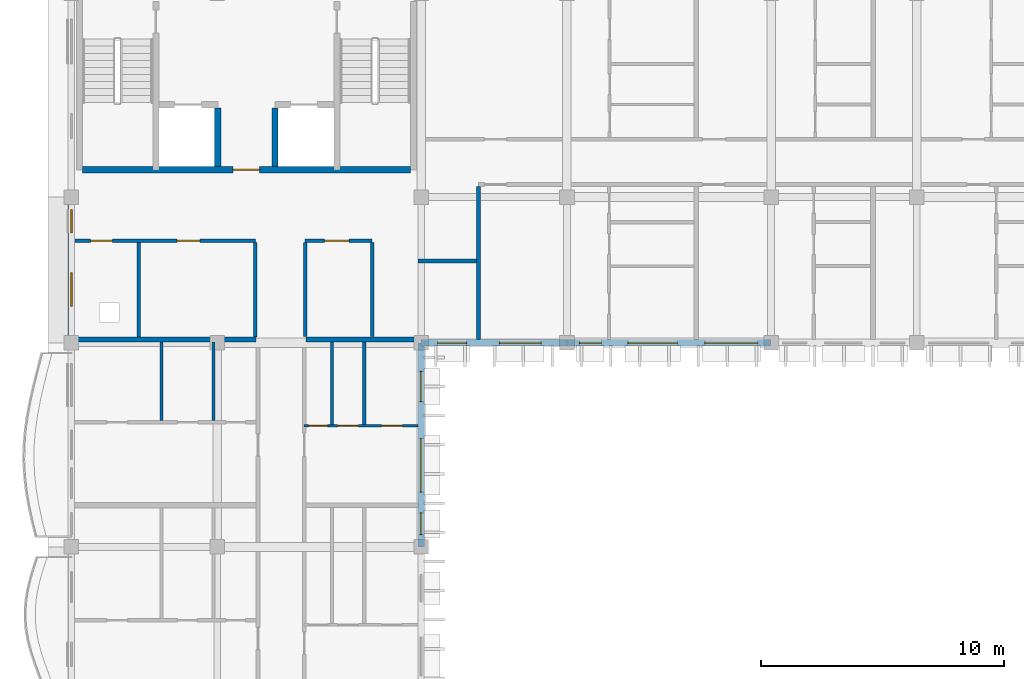
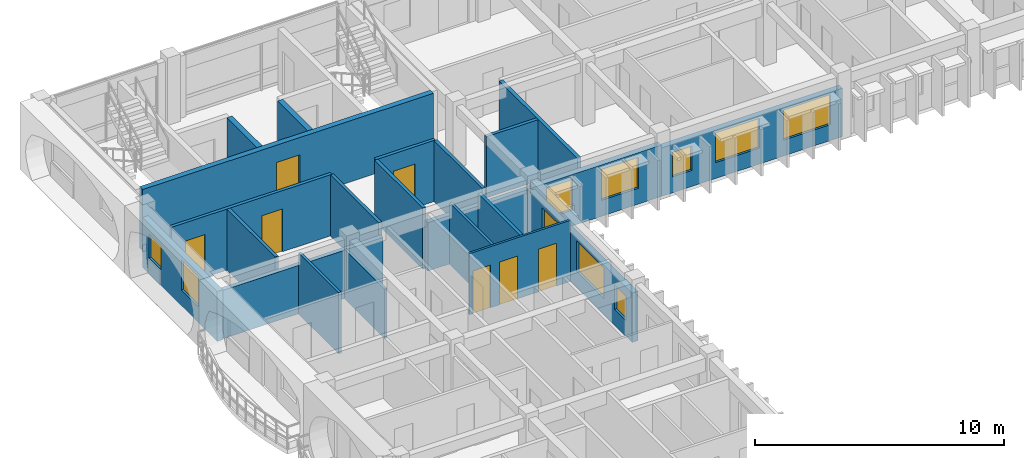
# One storey, part 17 of 45: 22 walls, 10 windows, 7 doors, 17 openings.
"""IFC4 building model written with IfcOpenShell, lengths in metres."""

from ifc_helpers import new_model, si_unit, direction, frame, frame_2d, origin, place, context, subcontext, project, spatial, rectangle, extrude, material, layer, layer_set, type_object, element, fill, save


model = new_model("IFC4")

# Units and contexts
model_context = context("Model", 3, precision=1e-05, world=origin(), true_north=direction((0.0, 1.0)))
body_context = subcontext(model_context, "Body", "Model", "MODEL_VIEW")
ifc_project = project(units=[si_unit("LENGTHUNIT", "METRE"), si_unit("AREAUNIT", "SQUARE_METRE"), si_unit("VOLUMEUNIT", "CUBIC_METRE"), si_unit("PLANEANGLEUNIT", "RADIAN"), si_unit("MASSUNIT", "GRAM", prefix="KILO"), si_unit("THERMODYNAMICTEMPERATUREUNIT", "KELVIN")], contexts=[model_context])

# Site, building, storey
site_placement = place(None, origin())
site = spatial("IfcSite", under=ifc_project, at=site_placement, CompositionType="ELEMENT")
building_placement = place(site_placement, origin())
building = spatial("IfcBuilding", under=site, at=building_placement, Name="Thalorik Housing Commons", CompositionType="ELEMENT")
storey_placement = place(building_placement, frame((0.0, 0.0, 34.5)))
storey = spatial("IfcBuildingStorey", under=building, at=storey_placement, Name="L10", CompositionType="ELEMENT", Elevation=34.5)

# Walls
ifc_material_1 = material(Name="Concrete C40/50", Category="concrete")
ifc_layer_1 = layer(ifc_material_1, 0.25, Name="Concrete C40/50", Category="concrete")
ifc_layer_set_1 = layer_set([ifc_layer_1], Name="Concrete C40/50")
wall_type_1 = type_object("IfcWallType", Name="ARC-WAL-CORE-250", PredefinedType="SHEAR", material=ifc_layer_set_1)
for number, where, z_axis, x_axis, name in (
    (1, (14.425048828125, 118.875, 0.0), (0.0, 0.0, 1.0), (0.0, -1.0, 0.0), "L10 Lift 1 Cheek Wall"),
    (2, (16.77490234375, 118.875, 0.0), (0.0, 0.0, 1.0), (0.0, -1.0, 0.0), "L10 Lift 2 Cheek Wall"),
):
    element("IfcWall", number, at=place(storey_placement, frame(where, z_axis=z_axis, x_axis=x_axis)), inside=storey, type_object=wall_type_1, Name=name, PredefinedType="SHEAR", context=body_context, shape_type="SweptSolid", body=[
        extrude(rectangle(XDim=2.425048828125, YDim=0.25, at=frame_2d((1.21240234375, 0.0))), origin(), (0.0, 0.0, 1.0), 3.0),
    ])

# Wall, opening, door
wall_1_placement = place(storey_placement, frame((8.85009765625, 116.324951171875, 0.0), z_axis=(0.0, 0.0, 1.0), x_axis=(1.0, 0.0, 0.0)))
wall_1 = element("IfcWall", 3, at=wall_1_placement, inside=storey, type_object=wall_type_1, Name="L10 Core A Spine Shear Wall", PredefinedType="SHEAR", context=body_context, shape_type="SweptSolid", body=[
    extrude(rectangle(XDim=13.5, YDim=0.25, at=frame_2d((6.75, 0.0))), origin(), (0.0, 0.0, 1.0), 3.0),
])
opening_1_placement = place(wall_1_placement, frame((6.199951171875, 0.0, 0.0)))
opening_1 = element("IfcOpeningElement", 4, at=opening_1_placement, cuts=wall_1, Name="Opening ID-0093", PredefinedType="OPENING", context=body_context, shape_type="SweptSolid", body=[
    extrude(rectangle(XDim=1.10009765625, YDim=2.14990234375, at=frame_2d((0.550048828125, 1.074951171875))), frame((0.0, 0.135009765625, 0.0), z_axis=(0.0, -1.0, 0.0), x_axis=(1.0, 0.0, 0.0)), (0.0, 0.0, 1.0), 0.27001953125),
])
ifc_material_2 = material(Name="Steel S355", Category="steel")
door_type_1 = type_object("IfcDoorType", Name="ARC-DR-FD60-1100", OperationType="NOTDEFINED", PredefinedType="DOOR", material=ifc_material_2)
door_1_placement = place(opening_1_placement, origin())
door_1 = element("IfcDoor", 5, at=door_1_placement, inside=storey, type_object=door_type_1, Name="L10 Core A Lobby Fire Door", OperationType="SINGLE_SWING_RIGHT", OverallHeight=2.14990234375, OverallWidth=1.10009765625, PredefinedType="DOOR", context=body_context, shape_type="SweptSolid", body=[
    extrude(rectangle(XDim=1.10009765625, YDim=2.14990234375, at=frame_2d((0.550048828125, 1.074951171875))), frame((0.0, 0.02490234375, 0.0), z_axis=(0.0, -1.0, 0.0), x_axis=(1.0, 0.0, 0.0)), (0.0, 0.0, 1.0), 0.050048828125),
])
fill(opening_1, door_1)

# Walls
ifc_material_3 = material(Name="Masonry fire-rated corridor wall", Category="masonry")
ifc_layer_2 = layer(ifc_material_3, 0.14990234375, Name="Masonry fire-rated corridor wall", Category="masonry")
ifc_layer_set_2 = layer_set([ifc_layer_2], Name="Masonry fire-rated corridor wall")
wall_type_2 = type_object("IfcWallType", Name="ARC-WAL-CORR-150", PredefinedType="PARTITIONING", material=ifc_layer_set_2)
wall_2_placement = place(storey_placement, frame((22.659912109375, 112.570068359375, 0.0), z_axis=(0.0, 0.0, 1.0), x_axis=(1.0, 0.0, 0.0)))
element("IfcWall", 6, at=wall_2_placement, inside=storey, type_object=wall_type_2, Name="L10 Block A Vestibule South Wall", PredefinedType="PARTITIONING", context=body_context, shape_type="SweptSolid", body=[
    extrude(rectangle(XDim=2.405517578125, YDim=0.14990234375, at=frame_2d((1.20263671875, 0.0))), origin(), (0.0, 0.0, 1.0), 3.0),
])
ifc_layer_3 = layer(ifc_material_3, 0.1650390625, Name="Masonry fire-rated corridor wall", Category="masonry")
ifc_layer_set_3 = layer_set([ifc_layer_3], Name="Masonry fire-rated corridor wall")
wall_type_3 = type_object("IfcWallType", Name="ARC-WAL-CORR-165", PredefinedType="PARTITIONING", material=ifc_layer_set_3)
wall_3_placement = place(storey_placement, frame((25.14990234375, 109.33447265625, 0.0), z_axis=(0.0, 0.0, 1.0), x_axis=(0.0, 1.0, 0.0)))
element("IfcWall", 7, at=wall_3_placement, inside=storey, type_object=wall_type_3, Name="L10 Block A Vestibule Cheek Wall", PredefinedType="PARTITIONING", context=body_context, shape_type="SweptSolid", body=[
    extrude(rectangle(XDim=6.301025390625, YDim=0.1650390625, at=frame_2d((3.150390625, 0.0))), origin(), (0.0, 0.0, 1.0), 3.0),
])

# Wall, openings, windows
ifc_material_4 = material(Name="White precast concrete C40/50", Category="concrete")
ifc_layer_4 = layer(ifc_material_4, 0.264892578125, Name="White precast concrete C40/50", Category="concrete")
ifc_layer_set_4 = layer_set([ifc_layer_4], Name="White precast concrete C40/50")
wall_type_4 = type_object("IfcWallType", Name="ARC-WAL-EXT-265", PredefinedType="STANDARD", material=ifc_layer_set_4)
wall_4_placement = place(storey_placement, frame((22.800048828125, 109.199951171875, 0.0), z_axis=(0.0, 0.0, 1.0), x_axis=(1.0, 0.0, 0.0)))
wall_4 = element("IfcWall", 8, at=wall_4_placement, inside=storey, type_object=wall_type_4, Name="L10 Exterior Wall WAL-EXT-L10-A-0257", PredefinedType="STANDARD", context=body_context, shape_type="SweptSolid", body=[
    extrude(rectangle(XDim=6.0, YDim=0.264892578125, at=frame_2d((3.0, 0.0))), origin(), (0.0, 0.0, 1.0), 2.52490234375),
])
opening_2_placement = place(wall_4_placement, frame((0.669921875, 0.0, 0.780029296875)))
opening_2 = element("IfcOpeningElement", 9, at=opening_2_placement, cuts=wall_4, Name="Opening W-05", PredefinedType="OPENING", context=body_context, shape_type="SweptSolid", body=[
    extrude(rectangle(XDim=1.199951171875, YDim=1.5, at=frame_2d((0.60009765625, 0.75))), frame((0.0, 0.142578125, 0.0), z_axis=(0.0, -1.0, 0.0), x_axis=(1.0, 0.0, 0.0)), (0.0, 0.0, 1.0), 0.284912109375),
])
opening_3_placement = place(wall_4_placement, frame((3.219970703125, 0.0, 0.780029296875)))
opening_3 = element("IfcOpeningElement", 10, at=opening_3_placement, cuts=wall_4, Name="Opening W-56", PredefinedType="OPENING", context=body_context, shape_type="SweptSolid", body=[
    extrude(rectangle(XDim=1.719970703125, YDim=1.52001953125, at=frame_2d((0.85986328125, 0.760009765625))), frame((0.0, 0.142578125, 0.0), z_axis=(0.0, -1.0, 0.0), x_axis=(1.0, 0.0, 0.0)), (0.0, 0.0, 1.0), 0.284912109375),
])
ifc_material_5 = material(Name="Anodised aluminium and solar-control low-E glass", Category="aluminium")
window_type_1 = type_object("IfcWindowType", Name="ARC-WIN-05", PartitioningType="SINGLE_PANEL", PredefinedType="WINDOW", material=ifc_material_5)
window_1_placement = place(opening_2_placement, origin())
window_1 = element("IfcWindow", 11, at=window_1_placement, inside=storey, type_object=window_type_1, Name="L10 Facade Window 460", OverallHeight=1.5, OverallWidth=1.199951171875, PartitioningType="SINGLE_PANEL", PredefinedType="WINDOW", context=body_context, shape_type="SweptSolid", body=[
    extrude(rectangle(XDim=1.199951171875, YDim=1.5, at=frame_2d((0.60009765625, 0.75))), frame((0.0, 0.030029296875, 0.0), z_axis=(0.0, -1.0, 0.0), x_axis=(1.0, 0.0, 0.0)), (0.0, 0.0, 1.0), 0.06005859375),
])
fill(opening_2, window_1)
window_type_2 = type_object("IfcWindowType", Name="ARC-WIN-56", PartitioningType="DOUBLE_PANEL_VERTICAL", PredefinedType="WINDOW", material=ifc_material_5)
window_2_placement = place(opening_3_placement, origin())
window_2 = element("IfcWindow", 12, at=window_2_placement, inside=storey, type_object=window_type_2, Name="L10 Facade Window 461", OverallHeight=1.52001953125, OverallWidth=1.719970703125, PartitioningType="DOUBLE_PANEL_VERTICAL", PredefinedType="WINDOW", context=body_context, shape_type="SweptSolid", body=[
    extrude(rectangle(XDim=1.719970703125, YDim=1.52001953125, at=frame_2d((0.85986328125, 0.760009765625))), frame((0.0, 0.030029296875, 0.0), z_axis=(0.0, -1.0, 0.0), x_axis=(1.0, 0.0, 0.0)), (0.0, 0.0, 1.0), 0.06005859375),
])
fill(opening_3, window_2)

wall_5_placement = place(storey_placement, frame((28.800048828125, 109.199951171875, 0.0), z_axis=(0.0, 0.0, 1.0), x_axis=(1.0, 0.0, 0.0)))
wall_5 = element("IfcWall", 13, at=wall_5_placement, inside=storey, type_object=wall_type_4, Name="L10 Exterior Wall WAL-EXT-L10-A-0258", PredefinedType="STANDARD", context=body_context, shape_type="SweptSolid", body=[
    extrude(rectangle(XDim=8.39990234375, YDim=0.264892578125, at=frame_2d((4.199951171875, 0.0))), origin(), (0.0, 0.0, 1.0), 2.375),
])
opening_4_placement = place(wall_5_placement, frame((0.512451171875, 0.0, 0.780029296875)))
opening_4 = element("IfcOpeningElement", 14, at=opening_4_placement, cuts=wall_5, Name="Opening W-01", PredefinedType="OPENING", context=body_context, shape_type="SweptSolid", body=[
    extrude(rectangle(XDim=0.89990234375, YDim=1.199951171875, at=frame_2d((0.449951171875, 0.60009765625))), frame((0.0, 0.142578125, 0.0), z_axis=(0.0, -1.0, 0.0), x_axis=(1.0, 0.0, 0.0)), (0.0, 0.0, 1.0), 0.284912109375),
])
opening_5_placement = place(wall_5_placement, frame((2.507568359375, 0.0, 0.780029296875)))
opening_5 = element("IfcOpeningElement", 15, at=opening_5_placement, cuts=wall_5, Name="Opening W-62", PredefinedType="OPENING", context=body_context, shape_type="SweptSolid", body=[
    extrude(rectangle(XDim=2.0400390625, YDim=1.4599609375, at=frame_2d((1.02001953125, 0.72998046875))), frame((0.0, 0.142578125, 0.0), z_axis=(0.0, -1.0, 0.0), x_axis=(1.0, 0.0, 0.0)), (0.0, 0.0, 1.0), 0.284912109375),
])
opening_6_placement = place(wall_5_placement, frame((5.675048828125, 0.0, 0.780029296875)))
opening_6 = element("IfcOpeningElement", 16, at=opening_6_placement, cuts=wall_5, Name="Opening W-65", PredefinedType="OPENING", context=body_context, shape_type="SweptSolid", body=[
    extrude(rectangle(XDim=2.179931640625, YDim=1.47998046875, at=frame_2d((1.08984375, 0.739990234375))), frame((0.0, 0.142578125, 0.0), z_axis=(0.0, -1.0, 0.0), x_axis=(1.0, 0.0, 0.0)), (0.0, 0.0, 1.0), 0.284912109375),
])
window_type_3 = type_object("IfcWindowType", Name="ARC-WIN-01", PartitioningType="SINGLE_PANEL", PredefinedType="WINDOW", material=ifc_material_5)
window_3_placement = place(opening_4_placement, origin())
window_3 = element("IfcWindow", 17, at=window_3_placement, inside=storey, type_object=window_type_3, Name="L10 Facade Window 462", OverallHeight=1.199951171875, OverallWidth=0.89990234375, PartitioningType="SINGLE_PANEL", PredefinedType="WINDOW", context=body_context, shape_type="SweptSolid", body=[
    extrude(rectangle(XDim=0.89990234375, YDim=1.199951171875, at=frame_2d((0.449951171875, 0.60009765625))), frame((0.0, 0.030029296875, 0.0), z_axis=(0.0, -1.0, 0.0), x_axis=(1.0, 0.0, 0.0)), (0.0, 0.0, 1.0), 0.06005859375),
])
fill(opening_4, window_3)
window_type_4 = type_object("IfcWindowType", Name="ARC-WIN-62", PartitioningType="DOUBLE_PANEL_VERTICAL", PredefinedType="WINDOW", material=ifc_material_5)
window_4_placement = place(opening_5_placement, origin())
window_4 = element("IfcWindow", 18, at=window_4_placement, inside=storey, type_object=window_type_4, Name="L10 Facade Window 463", OverallHeight=1.4599609375, OverallWidth=2.0400390625, PartitioningType="DOUBLE_PANEL_VERTICAL", PredefinedType="WINDOW", context=body_context, shape_type="SweptSolid", body=[
    extrude(rectangle(XDim=2.0400390625, YDim=1.4599609375, at=frame_2d((1.02001953125, 0.72998046875))), frame((0.0, 0.030029296875, 0.0), z_axis=(0.0, -1.0, 0.0), x_axis=(1.0, 0.0, 0.0)), (0.0, 0.0, 1.0), 0.06005859375),
])
fill(opening_5, window_4)
window_type_5 = type_object("IfcWindowType", Name="ARC-WIN-65", PartitioningType="DOUBLE_PANEL_VERTICAL", PredefinedType="WINDOW", material=ifc_material_5)
window_5_placement = place(opening_6_placement, origin())
window_5 = element("IfcWindow", 19, at=window_5_placement, inside=storey, type_object=window_type_5, Name="L10 Facade Window 464", OverallHeight=1.47998046875, OverallWidth=2.179931640625, PartitioningType="DOUBLE_PANEL_VERTICAL", PredefinedType="WINDOW", context=body_context, shape_type="SweptSolid", body=[
    extrude(rectangle(XDim=2.179931640625, YDim=1.47998046875, at=frame_2d((1.08984375, 0.739990234375))), frame((0.0, 0.030029296875, 0.0), z_axis=(0.0, -1.0, 0.0), x_axis=(1.0, 0.0, 0.0)), (0.0, 0.0, 1.0), 0.06005859375),
])
fill(opening_6, window_5)

wall_6_placement = place(storey_placement, frame((8.39990234375, 115.199951171875, 0.0), z_axis=(0.0, 0.0, 1.0), x_axis=(0.0, -1.0, 0.0)))
wall_6 = element("IfcWall", 20, at=wall_6_placement, inside=storey, type_object=wall_type_4, Name="L10 Exterior Wall WAL-EXT-L10-A-0270", PredefinedType="STANDARD", context=body_context, shape_type="SweptSolid", body=[
    extrude(rectangle(XDim=6.0, YDim=0.264892578125, at=frame_2d((3.0, 0.0))), origin(), (0.0, 0.0, 1.0), 2.445068359375),
])
opening_7_placement = place(wall_6_placement, frame((0.52001953125, 0.0, 0.780029296875)))
opening_7 = element("IfcOpeningElement", 21, at=opening_7_placement, cuts=wall_6, Name="Opening W-43", PredefinedType="OPENING", context=body_context, shape_type="SweptSolid", body=[
    extrude(rectangle(XDim=0.949951171875, YDim=1.14990234375, at=frame_2d((0.47509765625, 0.574951171875))), frame((0.0, 0.142578125, 0.0), z_axis=(0.0, -1.0, 0.0), x_axis=(1.0, 0.0, 0.0)), (0.0, 0.0, 1.0), 0.284912109375),
])
opening_8_placement = place(wall_6_placement, frame((3.114990234375, 0.0, 0.780029296875)))
opening_8 = element("IfcOpeningElement", 22, at=opening_8_placement, cuts=wall_6, Name="Opening W-49", PredefinedType="OPENING", context=body_context, shape_type="SweptSolid", body=[
    extrude(rectangle(XDim=1.3798828125, YDim=1.47998046875, at=frame_2d((0.68994140625, 0.739990234375))), frame((0.0, 0.142578125, 0.0), z_axis=(0.0, -1.0, 0.0), x_axis=(1.0, 0.0, 0.0)), (0.0, 0.0, 1.0), 0.284912109375),
])
window_type_6 = type_object("IfcWindowType", Name="ARC-WIN-43", PartitioningType="SINGLE_PANEL", PredefinedType="WINDOW", material=ifc_material_5)
window_6_placement = place(opening_7_placement, origin())
window_6 = element("IfcWindow", 23, at=window_6_placement, inside=storey, type_object=window_type_6, Name="L10 Facade Window 486", OverallHeight=1.14990234375, OverallWidth=0.949951171875, PartitioningType="SINGLE_PANEL", PredefinedType="WINDOW", context=body_context, shape_type="SweptSolid", body=[
    extrude(rectangle(XDim=0.949951171875, YDim=1.14990234375, at=frame_2d((0.47509765625, 0.574951171875))), frame((0.0, 0.030029296875, 0.0), z_axis=(0.0, -1.0, 0.0), x_axis=(1.0, 0.0, 0.0)), (0.0, 0.0, 1.0), 0.06005859375),
])
fill(opening_7, window_6)
window_type_7 = type_object("IfcWindowType", Name="ARC-WIN-49", PartitioningType="SINGLE_PANEL", PredefinedType="WINDOW", material=ifc_material_5)
window_7_placement = place(opening_8_placement, origin())
window_7 = element("IfcWindow", 24, at=window_7_placement, inside=storey, type_object=window_type_7, Name="L10 Facade Window 487", OverallHeight=1.47998046875, OverallWidth=1.3798828125, PartitioningType="SINGLE_PANEL", PredefinedType="WINDOW", context=body_context, shape_type="SweptSolid", body=[
    extrude(rectangle(XDim=1.3798828125, YDim=1.47998046875, at=frame_2d((0.68994140625, 0.739990234375))), frame((0.0, 0.030029296875, 0.0), z_axis=(0.0, -1.0, 0.0), x_axis=(1.0, 0.0, 0.0)), (0.0, 0.0, 1.0), 0.06005859375),
])
fill(opening_8, window_7)

wall_7_placement = place(storey_placement, frame((22.800048828125, 100.800048828125, 0.0), z_axis=(0.0, 0.0, 1.0), x_axis=(0.0, 1.0, 0.0)))
wall_7 = element("IfcWall", 25, at=wall_7_placement, inside=storey, type_object=wall_type_4, Name="L10 Exterior Wall WAL-EXT-L10-A-0278", PredefinedType="STANDARD", context=body_context, shape_type="SweptSolid", body=[
    extrude(rectangle(XDim=8.39990234375, YDim=0.264892578125, at=frame_2d((4.199951171875, 0.0))), origin(), (0.0, 0.0, 1.0), 2.425048828125),
])
opening_9_placement = place(wall_7_placement, frame((0.5048828125, 0.0, 0.780029296875)))
opening_9 = element("IfcOpeningElement", 26, at=opening_9_placement, cuts=wall_7, Name="Opening W-01", PredefinedType="OPENING", context=body_context, shape_type="SweptSolid", body=[
    extrude(rectangle(XDim=0.89990234375, YDim=1.199951171875, at=frame_2d((0.449951171875, 0.60009765625))), frame((0.0, 0.142578125, 0.0), z_axis=(0.0, -1.0, 0.0), x_axis=(1.0, 0.0, 0.0)), (0.0, 0.0, 1.0), 0.284912109375),
])
opening_10_placement = place(wall_7_placement, frame((2.2568359375, 0.0, 0.780029296875)))
opening_10 = element("IfcOpeningElement", 27, at=opening_10_placement, cuts=wall_7, Name="Opening W-29", PredefinedType="OPENING", context=body_context, shape_type="SweptSolid", body=[
    extrude(rectangle(XDim=2.199951171875, YDim=1.5, at=frame_2d((1.10009765625, 0.75))), frame((0.0, 0.142578125, 0.0), z_axis=(0.0, -1.0, 0.0), x_axis=(1.0, 0.0, 0.0)), (0.0, 0.0, 1.0), 0.284912109375),
])
opening_11_placement = place(wall_7_placement, frame((5.976806640625, 0.0, 0.780029296875)))
opening_11 = element("IfcOpeningElement", 28, at=opening_11_placement, cuts=wall_7, Name="Opening W-47", PredefinedType="OPENING", context=body_context, shape_type="SweptSolid", body=[
    extrude(rectangle(XDim=1.25, YDim=1.449951171875, at=frame_2d((0.625, 0.72509765625))), frame((0.0, 0.142578125, 0.0), z_axis=(0.0, -1.0, 0.0), x_axis=(1.0, 0.0, 0.0)), (0.0, 0.0, 1.0), 0.284912109375),
])
window_8_placement = place(opening_9_placement, origin())
window_8 = element("IfcWindow", 29, at=window_8_placement, inside=storey, type_object=window_type_3, Name="L10 Facade Window 504", OverallHeight=1.199951171875, OverallWidth=0.89990234375, PartitioningType="SINGLE_PANEL", PredefinedType="WINDOW", context=body_context, shape_type="SweptSolid", body=[
    extrude(rectangle(XDim=0.89990234375, YDim=1.199951171875, at=frame_2d((0.449951171875, 0.60009765625))), frame((0.0, 0.030029296875, 0.0), z_axis=(0.0, -1.0, 0.0), x_axis=(1.0, 0.0, 0.0)), (0.0, 0.0, 1.0), 0.06005859375),
])
fill(opening_9, window_8)
window_type_8 = type_object("IfcWindowType", Name="ARC-WIN-29", PartitioningType="DOUBLE_PANEL_VERTICAL", PredefinedType="WINDOW", material=ifc_material_5)
window_9_placement = place(opening_10_placement, origin())
window_9 = element("IfcWindow", 30, at=window_9_placement, inside=storey, type_object=window_type_8, Name="L10 Facade Window 505", OverallHeight=1.5, OverallWidth=2.199951171875, PartitioningType="DOUBLE_PANEL_VERTICAL", PredefinedType="WINDOW", context=body_context, shape_type="SweptSolid", body=[
    extrude(rectangle(XDim=2.199951171875, YDim=1.5, at=frame_2d((1.10009765625, 0.75))), frame((0.0, 0.030029296875, 0.0), z_axis=(0.0, -1.0, 0.0), x_axis=(1.0, 0.0, 0.0)), (0.0, 0.0, 1.0), 0.06005859375),
])
fill(opening_10, window_9)
window_type_9 = type_object("IfcWindowType", Name="ARC-WIN-47", PartitioningType="SINGLE_PANEL", PredefinedType="WINDOW", material=ifc_material_5)
window_10_placement = place(opening_11_placement, origin())
window_10 = element("IfcWindow", 31, at=window_10_placement, inside=storey, type_object=window_type_9, Name="L10 Facade Window 506", OverallHeight=1.449951171875, OverallWidth=1.25, PartitioningType="SINGLE_PANEL", PredefinedType="WINDOW", context=body_context, shape_type="SweptSolid", body=[
    extrude(rectangle(XDim=1.25, YDim=1.449951171875, at=frame_2d((0.625, 0.72509765625))), frame((0.0, 0.030029296875, 0.0), z_axis=(0.0, -1.0, 0.0), x_axis=(1.0, 0.0, 0.0)), (0.0, 0.0, 1.0), 0.06005859375),
])
fill(opening_11, window_10)

# Wall, openings, doors
ifc_material_6 = material(Name="Gypsum light stud partition", Category="masonry")
ifc_layer_5 = layer(ifc_material_6, 0.10009765625, Name="Gypsum light stud partition", Category="masonry")
ifc_layer_set_5 = layer_set([ifc_layer_5], Name="Gypsum light stud partition")
wall_type_5 = type_object("IfcWallType", Name="ARC-WAL-PART-100", PredefinedType="PARTITIONING", material=ifc_layer_set_5)
wall_8_placement = place(storey_placement, frame((17.97998046875, 105.793701171875, 0.0), z_axis=(0.0, 0.0, 1.0), x_axis=(1.0, 0.0, 0.0)))
wall_8 = element("IfcWall", 32, at=wall_8_placement, inside=storey, type_object=wall_type_5, Name="L10 Unit 3B Spine Partition", PredefinedType="PARTITIONING", context=body_context, shape_type="SweptSolid", body=[
    extrude(rectangle(XDim=4.685546875, YDim=0.10009765625, at=frame_2d((2.3427734375, 0.0))), origin(), (0.0, 0.0, 1.0), 3.0),
])
opening_12_placement = place(wall_8_placement, frame((0.171142578125, 0.0, 0.0)))
opening_12 = element("IfcOpeningElement", 33, at=opening_12_placement, cuts=wall_8, Name="Opening ID-0852", PredefinedType="OPENING", context=body_context, shape_type="SweptSolid", body=[
    extrude(rectangle(XDim=0.800048828125, YDim=2.10009765625, at=frame_2d((0.39990234375, 1.050048828125))), frame((0.0, 0.06005859375, 0.0), z_axis=(0.0, -1.0, 0.0), x_axis=(1.0, 0.0, 0.0)), (0.0, 0.0, 1.0), 0.1201171875),
])
opening_13_placement = place(wall_8_placement, frame((1.3837890625, 0.0, 0.0)))
opening_13 = element("IfcOpeningElement", 34, at=opening_13_placement, cuts=wall_8, Name="Opening ID-0853", PredefinedType="OPENING", context=body_context, shape_type="SweptSolid", body=[
    extrude(rectangle(XDim=0.85009765625, YDim=2.10009765625, at=frame_2d((0.425048828125, 1.050048828125))), frame((0.0, 0.06005859375, 0.0), z_axis=(0.0, -1.0, 0.0), x_axis=(1.0, 0.0, 0.0)), (0.0, 0.0, 1.0), 0.1201171875),
])
opening_14_placement = place(wall_8_placement, frame((3.192626953125, 0.0, 0.0)))
opening_14 = element("IfcOpeningElement", 35, at=opening_14_placement, cuts=wall_8, Name="Opening ID-0854", PredefinedType="OPENING", context=body_context, shape_type="SweptSolid", body=[
    extrude(rectangle(XDim=0.85009765625, YDim=2.10009765625, at=frame_2d((0.425048828125, 1.050048828125))), frame((0.0, 0.06005859375, 0.0), z_axis=(0.0, -1.0, 0.0), x_axis=(1.0, 0.0, 0.0)), (0.0, 0.0, 1.0), 0.1201171875),
])
ifc_material_7 = material(Name="Moisture-resistant timber", Category="wood")
door_type_2 = type_object("IfcDoorType", Name="ARC-DR-INT-800", OperationType="NOTDEFINED", PredefinedType="DOOR", material=ifc_material_7)
door_2_placement = place(opening_12_placement, origin())
door_2 = element("IfcDoor", 36, at=door_2_placement, inside=storey, type_object=door_type_2, Name="L10 Accessible Bathroom Door", OperationType="SINGLE_SWING_LEFT", OverallHeight=2.10009765625, OverallWidth=0.800048828125, PredefinedType="DOOR", context=body_context, shape_type="SweptSolid", body=[
    extrude(rectangle(XDim=0.800048828125, YDim=2.10009765625, at=frame_2d((0.39990234375, 1.050048828125))), frame((0.0, 0.02490234375, 0.0), z_axis=(0.0, -1.0, 0.0), x_axis=(1.0, 0.0, 0.0)), (0.0, 0.0, 1.0), 0.050048828125),
])
fill(opening_12, door_2)
ifc_material_8 = material(Name="Engineered oak timber", Category="wood")
door_type_3 = type_object("IfcDoorType", Name="ARC-DR-INT-850", OperationType="NOTDEFINED", PredefinedType="DOOR", material=ifc_material_8)
door_3_placement = place(opening_13_placement, origin())
door_3 = element("IfcDoor", 37, at=door_3_placement, inside=storey, type_object=door_type_3, Name="L10 Eat-In Kitchen Door", OperationType="SINGLE_SWING_RIGHT", OverallHeight=2.10009765625, OverallWidth=0.85009765625, PredefinedType="DOOR", context=body_context, shape_type="SweptSolid", body=[
    extrude(rectangle(XDim=0.85009765625, YDim=2.10009765625, at=frame_2d((0.425048828125, 1.050048828125))), frame((0.0, 0.02490234375, 0.0), z_axis=(0.0, -1.0, 0.0), x_axis=(1.0, 0.0, 0.0)), (0.0, 0.0, 1.0), 0.050048828125),
])
fill(opening_13, door_3)
door_4_placement = place(opening_14_placement, origin())
door_4 = element("IfcDoor", 38, at=door_4_placement, inside=storey, type_object=door_type_3, Name="L10 Double Bedroom Door", OperationType="SINGLE_SWING_LEFT", OverallHeight=2.10009765625, OverallWidth=0.85009765625, PredefinedType="DOOR", context=body_context, shape_type="SweptSolid", body=[
    extrude(rectangle(XDim=0.85009765625, YDim=2.10009765625, at=frame_2d((0.425048828125, 1.050048828125))), frame((0.0, 0.02490234375, 0.0), z_axis=(0.0, -1.0, 0.0), x_axis=(1.0, 0.0, 0.0)), (0.0, 0.0, 1.0), 0.050048828125),
])
fill(opening_14, door_4)

# Walls
ifc_material_9 = material(Name="Gypsum moisture-resistant partition", Category="masonry")
ifc_layer_6 = layer(ifc_material_9, 0.114990234375, Name="Gypsum moisture-resistant partition", Category="masonry")
ifc_layer_set_6 = layer_set([ifc_layer_6], Name="Gypsum moisture-resistant partition")
wall_type_6 = type_object("IfcWallType", Name="ARC-WAL-PART-115", PredefinedType="PARTITIONING", material=ifc_layer_set_6)
wall_9_placement = place(storey_placement, frame((14.251220703125, 106.001953125, 0.0), z_axis=(0.0, 0.0, 1.0), x_axis=(0.0, 1.0, 0.0)))
element("IfcWall", 39, at=wall_9_placement, inside=storey, type_object=wall_type_6, Name="L10 Unit 3 Wet Wall", PredefinedType="PARTITIONING", context=body_context, shape_type="SweptSolid", body=[
    extrude(rectangle(XDim=3.236083984375, YDim=0.114990234375, at=frame_2d((1.6181640625, 0.0))), origin(), (0.0, 0.0, 1.0), 2.425048828125),
])
ifc_material_10 = material(Name="Gypsum acoustic stud partition", Category="masonry")
ifc_layer_7 = layer(ifc_material_10, 0.125, Name="Gypsum acoustic stud partition", Category="masonry")
ifc_layer_set_7 = layer_set([ifc_layer_7], Name="Gypsum acoustic stud partition")
wall_type_7 = type_object("IfcWallType", Name="ARC-WAL-PART-125", PredefinedType="PARTITIONING", material=ifc_layer_set_7)
wall_10_placement = place(storey_placement, frame((12.11767578125, 106.001953125, 0.0), z_axis=(0.0, 0.0, 1.0), x_axis=(0.0, 1.0, 0.0)))
element("IfcWall", 40, at=wall_10_placement, inside=storey, type_object=wall_type_7, Name="L10 Unit 3 Bedroom Partition", PredefinedType="PARTITIONING", context=body_context, shape_type="SweptSolid", body=[
    extrude(rectangle(XDim=3.236083984375, YDim=0.125, at=frame_2d((1.6181640625, 0.0))), origin(), (0.0, 0.0, 1.0), 3.0),
])
wall_11_placement = place(storey_placement, frame((19.122314453125, 105.845703125, 0.0), z_axis=(0.0, 0.0, 1.0), x_axis=(0.0, 1.0, 0.0)))
element("IfcWall", 41, at=wall_11_placement, inside=storey, type_object=wall_type_7, Name="L10 Unit 3B Wet Wall", PredefinedType="PARTITIONING", context=body_context, shape_type="SweptSolid", body=[
    extrude(rectangle(XDim=3.38232421875, YDim=0.125, at=frame_2d((1.691162109375, 0.0))), origin(), (0.0, 0.0, 1.0), 3.0),
])
ifc_material_11 = material(Name="Ceramic masonry partition wall", Category="masonry")
ifc_layer_8 = layer(ifc_material_11, 0.139892578125, Name="Ceramic masonry partition wall", Category="masonry")
ifc_layer_set_8 = layer_set([ifc_layer_8], Name="Ceramic masonry partition wall")
wall_type_8 = type_object("IfcWallType", Name="ARC-WAL-PART-140", PredefinedType="PARTITIONING", material=ifc_layer_set_8)
wall_12_placement = place(storey_placement, frame((20.455078125, 105.845703125, 0.0), z_axis=(0.0, 0.0, 1.0), x_axis=(0.0, 1.0, 0.0)))
element("IfcWall", 42, at=wall_12_placement, inside=storey, type_object=wall_type_8, Name="L10 Unit 3B Bedroom Partition", PredefinedType="PARTITIONING", context=body_context, shape_type="SweptSolid", body=[
    extrude(rectangle(XDim=3.38232421875, YDim=0.139892578125, at=frame_2d((1.691162109375, 0.0))), origin(), (0.0, 0.0, 1.0), 3.0),
])
ifc_layer_9 = layer(ifc_material_11, 0.14794921875, Name="Ceramic masonry partition wall", Category="masonry")
ifc_layer_set_9 = layer_set([ifc_layer_9], Name="Ceramic masonry partition wall")
wall_type_9 = type_object("IfcWallType", Name="ARC-WAL-PART-150", PredefinedType="PARTITIONING", material=ifc_layer_set_9)
for number, where, z_axis, x_axis, name in (
    (43, (11.175048828125, 113.323974609375, 0.0), (0.0, 0.0, 1.0), (0.0, -1.0, 0.0), "Riser Wall"),
    (44, (15.97509765625, 113.323974609375, 0.0), (0.0, 0.0, 1.0), (0.0, -1.0, 0.0), "Core Stem West Cheek Wall"),
):
    element("IfcWall", number, at=place(storey_placement, frame(where, z_axis=z_axis, x_axis=x_axis)), inside=storey, type_object=wall_type_9, Name=name, PredefinedType="PARTITIONING", context=body_context, shape_type="SweptSolid", body=[
        extrude(rectangle(XDim=3.882080078125, YDim=0.14794921875, at=frame_2d((1.94091796875, 0.0))), origin(), (0.0, 0.0, 1.0), 3.0),
    ])
for number, where, z_axis, x_axis, name in (
    (45, (18.02490234375, 113.323974609375, 0.0), (0.0, 0.0, 1.0), (0.0, -1.0, 0.0), "Core Stem East Cheek Wall"),
    (46, (20.780029296875, 113.323974609375, 0.0), (0.0, 0.0, 1.0), (0.0, -1.0, 0.0), "Core East Enclosing Wall"),
):
    element("IfcWall", number, at=place(storey_placement, frame(where, z_axis=z_axis, x_axis=x_axis)), inside=storey, type_object=wall_type_9, Name=name, PredefinedType="PARTITIONING", context=body_context, shape_type="SweptSolid", body=[
        extrude(rectangle(XDim=3.8720703125, YDim=0.14794921875, at=frame_2d((1.93603515625, 0.0))), origin(), (0.0, 0.0, 1.0), 3.0),
    ])

# Wall, openings, doors
wall_13_placement = place(storey_placement, frame((8.5400390625, 113.39990234375, 0.0), z_axis=(0.0, 0.0, 1.0), x_axis=(1.0, 0.0, 0.0)))
wall_13 = element("IfcWall", 47, at=wall_13_placement, inside=storey, type_object=wall_type_9, Name="L10 Core A West Corridor Partition", PredefinedType="PARTITIONING", context=body_context, shape_type="SweptSolid", body=[
    extrude(rectangle(XDim=7.43505859375, YDim=0.14794921875, at=frame_2d((3.717529296875, 0.0))), origin(), (0.0, 0.0, 1.0), 3.0),
])
opening_15_placement = place(wall_13_placement, frame((0.64990234375, 0.0, 0.0)))
opening_15 = element("IfcOpeningElement", 48, at=opening_15_placement, cuts=wall_13, Name="Opening ID-0094", PredefinedType="OPENING", context=body_context, shape_type="SweptSolid", body=[
    extrude(rectangle(XDim=0.89990234375, YDim=2.10009765625, at=frame_2d((0.449951171875, 1.050048828125))), frame((0.0, 0.083984375, 0.0), z_axis=(0.0, -1.0, 0.0), x_axis=(1.0, 0.0, 0.0)), (0.0, 0.0, 1.0), 0.16796875),
])
opening_16_placement = place(wall_13_placement, frame((4.199951171875, 0.0, 0.0)))
opening_16 = element("IfcOpeningElement", 49, at=opening_16_placement, cuts=wall_13, Name="Opening ID-0095", PredefinedType="OPENING", context=body_context, shape_type="SweptSolid", body=[
    extrude(rectangle(XDim=0.949951171875, YDim=2.10009765625, at=frame_2d((0.47509765625, 1.050048828125))), frame((0.0, 0.083984375, 0.0), z_axis=(0.0, -1.0, 0.0), x_axis=(1.0, 0.0, 0.0)), (0.0, 0.0, 1.0), 0.16796875),
])
door_type_4 = type_object("IfcDoorType", Name="ARC-DR-FD60-900", OperationType="NOTDEFINED", PredefinedType="DOOR", material=ifc_material_2)
door_5_placement = place(opening_15_placement, origin())
door_5 = element("IfcDoor", 50, at=door_5_placement, inside=storey, type_object=door_type_4, Name="Electrical Riser Door", OperationType="SINGLE_SWING_LEFT", OverallHeight=2.10009765625, OverallWidth=0.89990234375, PredefinedType="DOOR", context=body_context, shape_type="SweptSolid", body=[
    extrude(rectangle(XDim=0.89990234375, YDim=2.10009765625, at=frame_2d((0.449951171875, 1.050048828125))), frame((0.0, 0.02490234375, 0.0), z_axis=(0.0, -1.0, 0.0), x_axis=(1.0, 0.0, 0.0)), (0.0, 0.0, 1.0), 0.050048828125),
])
fill(opening_15, door_5)
door_type_5 = type_object("IfcDoorType", Name="ARC-DR-INT-950", OperationType="NOTDEFINED", PredefinedType="DOOR", material=ifc_material_8)
door_6_placement = place(opening_16_placement, origin())
door_6 = element("IfcDoor", 51, at=door_6_placement, inside=storey, type_object=door_type_5, Name="Accessible Bathroom Door", OperationType="SINGLE_SWING_RIGHT", OverallHeight=2.10009765625, OverallWidth=0.949951171875, PredefinedType="DOOR", context=body_context, shape_type="SweptSolid", body=[
    extrude(rectangle(XDim=0.949951171875, YDim=2.10009765625, at=frame_2d((0.47509765625, 1.050048828125))), frame((0.0, 0.02490234375, 0.0), z_axis=(0.0, -1.0, 0.0), x_axis=(1.0, 0.0, 0.0)), (0.0, 0.0, 1.0), 0.050048828125),
])
fill(opening_16, door_6)

# Wall, opening, door
wall_14_placement = place(storey_placement, frame((18.02490234375, 113.39990234375, 0.0), z_axis=(0.0, 0.0, 1.0), x_axis=(1.0, 0.0, 0.0)))
wall_14 = element("IfcWall", 52, at=wall_14_placement, inside=storey, type_object=wall_type_9, Name="L10 Core A East Corridor Partition", PredefinedType="PARTITIONING", context=body_context, shape_type="SweptSolid", body=[
    extrude(rectangle(XDim=2.755126953125, YDim=0.14794921875, at=frame_2d((1.37744140625, 0.0))), origin(), (0.0, 0.0, 1.0), 3.0),
])
opening_17_placement = place(wall_14_placement, frame((0.800048828125, 0.0, 0.0)))
opening_17 = element("IfcOpeningElement", 53, at=opening_17_placement, cuts=wall_14, Name="Opening ID-0096", PredefinedType="OPENING", context=body_context, shape_type="SweptSolid", body=[
    extrude(rectangle(XDim=1.0, YDim=2.14990234375, at=frame_2d((0.5, 1.074951171875))), frame((0.0, 0.083984375, 0.0), z_axis=(0.0, -1.0, 0.0), x_axis=(1.0, 0.0, 0.0)), (0.0, 0.0, 1.0), 0.16796875),
])
door_type_6 = type_object("IfcDoorType", Name="ARC-DR-FD60-1000", OperationType="NOTDEFINED", PredefinedType="DOOR", material=ifc_material_2)
door_7_placement = place(opening_17_placement, origin())
door_7 = element("IfcDoor", 54, at=door_7_placement, inside=storey, type_object=door_type_6, Name="Core Hub Room Door", OperationType="SINGLE_SWING_LEFT", OverallHeight=2.14990234375, OverallWidth=1.0, PredefinedType="DOOR", context=body_context, shape_type="SweptSolid", body=[
    extrude(rectangle(XDim=1.0, YDim=2.14990234375, at=frame_2d((0.5, 1.074951171875))), frame((0.0, 0.02490234375, 0.0), z_axis=(0.0, -1.0, 0.0), x_axis=(1.0, 0.0, 0.0)), (0.0, 0.0, 1.0), 0.050048828125),
])
fill(opening_17, door_7)

# Walls
ifc_material_12 = material(Name="Precast concrete C40/50 acoustic wall", Category="concrete")
ifc_layer_10 = layer(ifc_material_12, 0.199951171875, Name="Precast concrete C40/50 acoustic wall", Category="concrete")
ifc_layer_set_10 = layer_set([ifc_layer_10], Name="Precast concrete C40/50 acoustic wall")
wall_type_10 = type_object("IfcWallType", Name="ARC-WAL-PARTY-200", PredefinedType="PARTITIONING", material=ifc_layer_set_10)
wall_15_placement = place(storey_placement, frame((8.534423828125, 109.340087890625, 0.0), z_axis=(0.0, 0.0, 1.0), x_axis=(1.0, 0.0, 0.0)))
element("IfcWall", 55, at=wall_15_placement, inside=storey, type_object=wall_type_10, Name="L10 Core End Wall A", PredefinedType="PARTITIONING", context=body_context, shape_type="SweptSolid", body=[
    extrude(rectangle(XDim=7.461181640625, YDim=0.199951171875, at=frame_2d((3.73046875, 0.0))), origin(), (0.0, 0.0, 1.0), 2.375),
])
ifc_layer_11 = layer(ifc_material_12, 0.219970703125, Name="Precast concrete C40/50 acoustic wall", Category="concrete")
ifc_layer_set_11 = layer_set([ifc_layer_11], Name="Precast concrete C40/50 acoustic wall")
wall_type_11 = type_object("IfcWallType", Name="ARC-WAL-PARTY-220", PredefinedType="PARTITIONING", material=ifc_layer_set_11)
wall_16_placement = place(storey_placement, frame((18.056884765625, 109.340087890625, 0.0), z_axis=(0.0, 0.0, 1.0), x_axis=(1.0, 0.0, 0.0)))
element("IfcWall", 56, at=wall_16_placement, inside=storey, type_object=wall_type_11, Name="L10 Core End Wall B", PredefinedType="PARTITIONING", context=body_context, shape_type="SweptSolid", body=[
    extrude(rectangle(XDim=4.68310546875, YDim=0.219970703125, at=frame_2d((2.341552734375, 0.0))), origin(), (0.0, 0.0, 1.0), 2.375),
])

save(model, "model.ifc")
